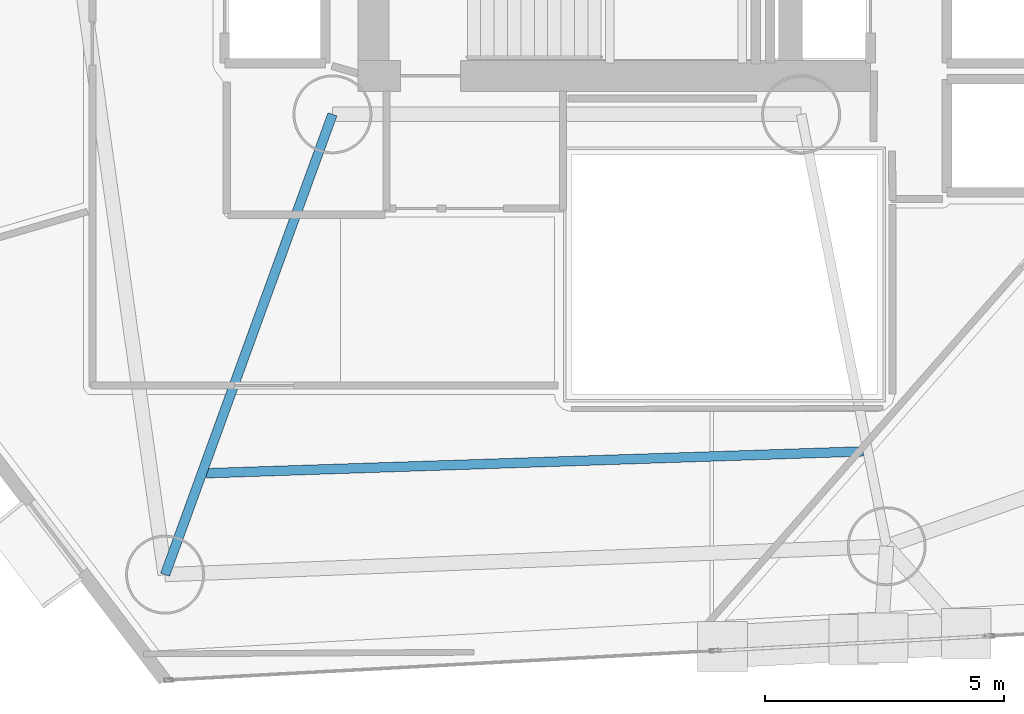
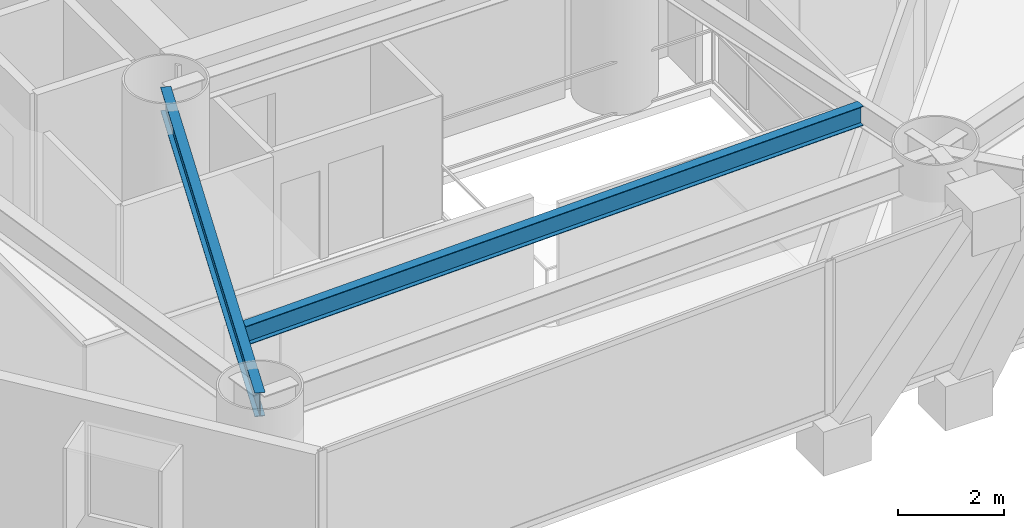
# One storey, part 3 of 23: 2 beams.
"""IFC4 building model written with IfcOpenShell, lengths in metres."""

from ifc_helpers import new_model, si_unit, direction, frame, origin, origin_2d, place, context, subcontext, project, spatial, i_section, extrude, material, material_profile, profile_set, type_object, element, save


model = new_model("IFC4")

# Units and contexts
model_context = context("Model", 3, precision=1e-05, world=origin(), true_north=direction((0.0, 1.0)))
body_context = subcontext(model_context, "Body", "Model", "MODEL_VIEW")
ifc_project = project(units=[si_unit("LENGTHUNIT", "METRE"), si_unit("AREAUNIT", "SQUARE_METRE"), si_unit("VOLUMEUNIT", "CUBIC_METRE"), si_unit("PLANEANGLEUNIT", "RADIAN"), si_unit("MASSUNIT", "GRAM", prefix="KILO")], contexts=[model_context])

# Site, building, storey
site_placement = place(None, origin())
site = spatial("IfcSite", under=ifc_project, at=site_placement, CompositionType="ELEMENT")
building_placement = place(site_placement, origin())
building = spatial("IfcBuilding", under=site, at=building_placement, Name="Qianvela Tower", CompositionType="ELEMENT")
storey_placement = place(building_placement, frame((0.0, 0.0, 56.199951171875)))
storey = spatial("IfcBuildingStorey", under=building, at=storey_placement, Name="L13", CompositionType="ELEMENT", Elevation=56.199951171875)

# Beams
ifc_material_1 = material(Name="Steel Q355B", Category="steel")
ifc_material_profile_1 = material_profile(ifc_material_1, i_section(OverallWidth=0.199951171875, OverallDepth=0.449951171875, WebThickness=0.009033203125, FlangeThickness=0.013916015625, at=origin_2d()), Name="HN450x200x9x14")
ifc_profile_set_1 = profile_set([ifc_material_profile_1], Name="Steel Q355B")
beam_type_1 = type_object("IfcBeamType", Name="BM-HN450-JOIST", PredefinedType="JOIST", material=ifc_profile_set_1)
beam_1_placement = place(storey_placement, frame((25.9658203125, 16.345703125, 3.29296875), z_axis=(0.999447329793, 0.033242066273, 0.0), x_axis=(-0.033242066273, 0.999447329793, 0.0)))
element("IfcBeam", 1, at=beam_1_placement, inside=storey, type_object=beam_type_1, Name="L13 Secondary Composite Floor Joist 5.3", PredefinedType="JOIST", context=body_context, shape_type="SweptSolid", body=[
    extrude(i_section(OverallWidth=0.199951171875, OverallDepth=0.449951171875, WebThickness=0.009033203125, FlangeThickness=0.013916015625, at=origin_2d()), origin(), (0.0, 0.0, 1.0), 13.7412109375),
])
ifc_material_2 = material(Name="Steel Q355B", Category="steel")
ifc_material_profile_2 = material_profile(ifc_material_2, i_section(OverallWidth=0.199951171875, OverallDepth=0.550048828125, WebThickness=0.010009765625, FlangeThickness=0.01611328125, at=origin_2d()), Name="HN550x200x10x16")
ifc_profile_set_2 = profile_set([ifc_material_profile_2], Name="Steel Q355B")
beam_type_2 = type_object("IfcBeamType", Name="BM-HN550-GIRD", PredefinedType="BEAM", material=ifc_profile_set_2)
beam_2_placement = place(storey_placement, frame((28.60009765625, 23.85009765625, 3.2431640625), z_axis=(-0.341743063087, -0.939793423488, 0.0), x_axis=(0.939793423488, -0.341743063087, 0.0)))
element("IfcBeam", 2, at=beam_2_placement, inside=storey, type_object=beam_type_2, Name="L13 Radial Primary Floor Girder 5", PredefinedType="BEAM", context=body_context, shape_type="SweptSolid", body=[
    extrude(i_section(OverallWidth=0.199951171875, OverallDepth=0.550048828125, WebThickness=0.010009765625, FlangeThickness=0.01611328125, at=origin_2d()), origin(), (0.0, 0.0, 1.0), 10.24169921875),
])

save(model, "model.ifc")
